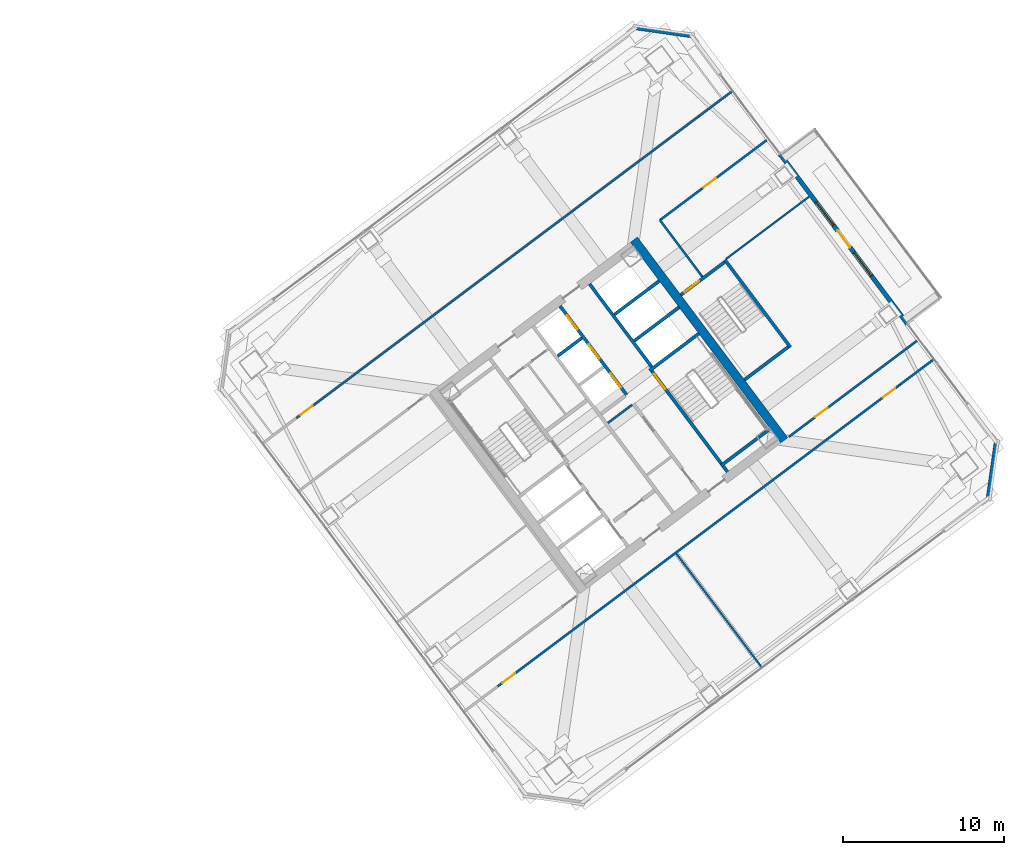
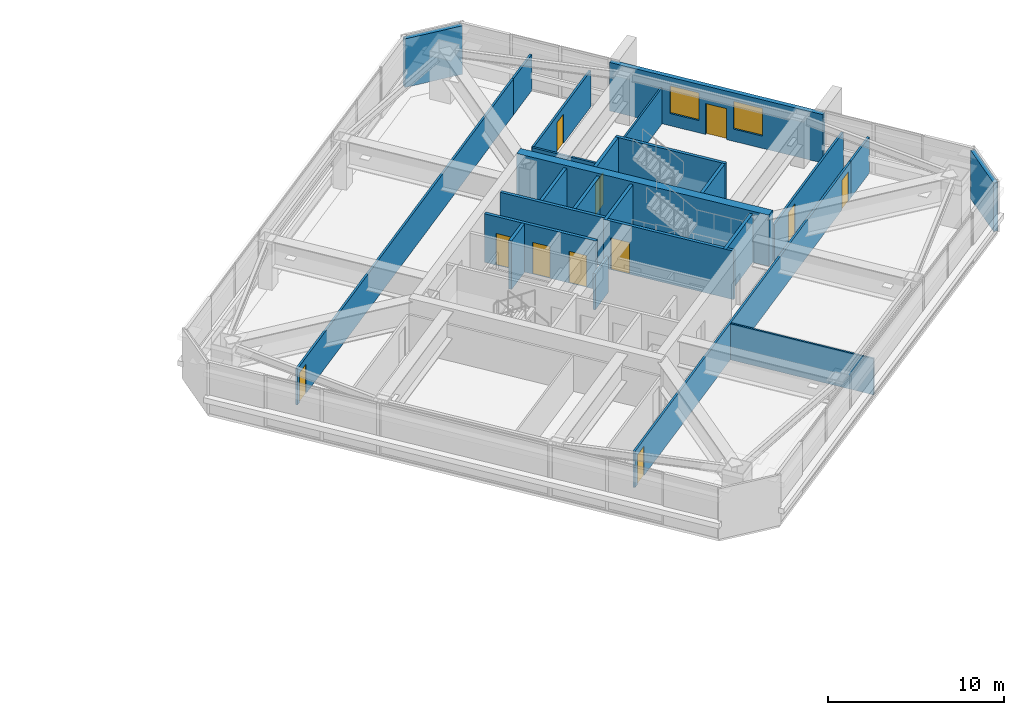
# One storey, part 35 of 42: 25 walls, 11 doors, 2 windows, 13 openings.
"""IFC4 building model written with IfcOpenShell, lengths in metres."""

from ifc_helpers import new_model, si_unit, direction, frame, frame_2d, origin, place, context, subcontext, project, spatial, rectangle, extrude, material, layer, layer_set, type_object, element, fill, save


model = new_model("IFC4")

# Units and contexts
model_context = context("Model", 3, precision=1e-05, world=origin(), true_north=direction((0.0, 1.0)))
body_context = subcontext(model_context, "Body", "Model", "MODEL_VIEW")
ifc_project = project(units=[si_unit("LENGTHUNIT", "METRE"), si_unit("AREAUNIT", "SQUARE_METRE"), si_unit("VOLUMEUNIT", "CUBIC_METRE"), si_unit("PLANEANGLEUNIT", "RADIAN"), si_unit("MASSUNIT", "GRAM", prefix="KILO")], contexts=[model_context])

# Site, building, storey
site_placement = place(None, origin())
site = spatial("IfcSite", under=ifc_project, at=site_placement, CompositionType="ELEMENT")
building_placement = place(site_placement, origin())
building = spatial("IfcBuilding", under=site, at=building_placement, Name="Tashvorn Skyway Center", CompositionType="ELEMENT")
storey_placement = place(building_placement, frame((0.0, 0.0, 153.449951171875)))
storey = spatial("IfcBuildingStorey", under=building, at=storey_placement, Name="L41", CompositionType="ELEMENT", Elevation=153.449951171875)

# Wall
ifc_material_1 = material(Name="Concrete C60/75", Category="concrete")
ifc_layer_1 = layer(ifc_material_1, 0.550048828125)
ifc_layer_set_1 = layer_set([ifc_layer_1], Name="Concrete C60/75")
wall_type_1 = type_object("IfcWallType", Name="WALL-CORE-550", PredefinedType="SHEAR", material=ifc_layer_set_1)
wall_1_placement = place(storey_placement, frame((115.56396484375, 42.923095703125, 0.0), z_axis=(0.0, 0.0, 1.0), x_axis=(0.600005007985, -0.799996243986, 0.0)))
element("IfcWall", 1, at=wall_1_placement, inside=storey, type_object=wall_type_1, Name="Tower 2 L41 East Core Shear Wall", PredefinedType="SHEAR", context=body_context, shape_type="SweptSolid", body=[
    extrude(rectangle(XDim=15.60009765625, YDim=0.550048828125, at=frame_2d((7.800048828125, 0.0))), origin(), (0.0, 0.0, 1.0), 3.550048828125),
])

# Wall, openings, door, windows
ifc_material_2 = material(Name="Precast concrete C40/50", Category="concrete")
ifc_layer_2 = layer(ifc_material_2, 0.280029296875)
ifc_layer_set_2 = layer_set([ifc_layer_2], Name="Precast concrete C40/50")
wall_type_2 = type_object("IfcWallType", Name="WALL-EXT-280", PredefinedType="SOLIDWALL", material=ifc_layer_set_2)
wall_2_placement = place(storey_placement, frame((124.6640625, 48.248046875, 0.0), z_axis=(0.0, 0.0, 1.0), x_axis=(0.599994081423, -0.800004438899, 0.0)))
wall_2 = element("IfcWall", 2, at=wall_2_placement, inside=storey, type_object=wall_type_2, Name="Tower 2 L41 East Sky Garden Loggia Wall", PredefinedType="SOLIDWALL", context=body_context, shape_type="SweptSolid", body=[
    extrude(rectangle(XDim=13.199951171875, YDim=0.280029296875, at=frame_2d((6.60009765625, 0.0))), origin(), (0.0, 0.0, 1.0), 3.3701171875),
])
opening_1_placement = place(wall_2_placement, frame((5.949951171875, 0.0, 0.0)))
opening_1 = element("IfcOpeningElement", 3, at=opening_1_placement, cuts=wall_2, Name="Opening D-TER-1300", PredefinedType="OPENING", context=body_context, shape_type="SweptSolid", body=[
    extrude(rectangle(XDim=1.300048828125, YDim=2.14990234375, at=frame_2d((0.64990234375, 1.074951171875))), frame((0.0, 0.14990234375, 0.0), z_axis=(0.0, -1.0, 0.0), x_axis=(1.0, 0.0, 0.0)), (0.0, 0.0, 1.0), 0.300048828125),
])
opening_2_placement = place(wall_2_placement, frame((3.73193359375, 0.0, 0.85009765625)))
opening_2 = element("IfcOpeningElement", 4, at=opening_2_placement, cuts=wall_2, Name="Opening WIN-1800", PredefinedType="OPENING", context=body_context, shape_type="SweptSolid", body=[
    extrude(rectangle(XDim=1.800048828125, YDim=1.919921875, at=frame_2d((0.89990234375, 0.9599609375))), frame((0.0, 0.14990234375, 0.0), z_axis=(0.0, -1.0, 0.0), x_axis=(1.0, 0.0, 0.0)), (0.0, 0.0, 1.0), 0.300048828125),
])
opening_3_placement = place(wall_2_placement, frame((7.66796875, 0.0, 0.85009765625)))
opening_3 = element("IfcOpeningElement", 5, at=opening_3_placement, cuts=wall_2, Name="Opening WIN-1800", PredefinedType="OPENING", context=body_context, shape_type="SweptSolid", body=[
    extrude(rectangle(XDim=1.800048828125, YDim=1.919921875, at=frame_2d((0.89990234375, 0.9599609375))), frame((0.0, 0.14990234375, 0.0), z_axis=(0.0, -1.0, 0.0), x_axis=(1.0, 0.0, 0.0)), (0.0, 0.0, 1.0), 0.300048828125),
])
ifc_material_3 = material(Name="Thermally broken bronze-anodized aluminium 6063-T6", Category="aluminium")
door_type_1 = type_object("IfcDoorType", Name="DOOR-TERR-1300", OperationType="NOTDEFINED", PredefinedType="DOOR", material=ifc_material_3)
door_1_placement = place(opening_1_placement, origin())
door_1 = element("IfcDoor", 6, at=door_1_placement, inside=storey, type_object=door_type_1, Name="Tower 2 L41 Sky Garden Access Door", OperationType="SINGLE_SWING_RIGHT", OverallHeight=2.14990234375, OverallWidth=1.300048828125, PredefinedType="DOOR", context=body_context, shape_type="SweptSolid", body=[
    extrude(rectangle(XDim=1.300048828125, YDim=2.14990234375, at=frame_2d((0.64990234375, 1.074951171875))), frame((0.0, 0.02490234375, 0.0), z_axis=(0.0, -1.0, 0.0), x_axis=(1.0, 0.0, 0.0)), (0.0, 0.0, 1.0), 0.050048828125),
])
fill(opening_1, door_1)
ifc_material_4 = material(Name="Low-E solar-control double insulating safety glass", Category="glass")
window_type = type_object("IfcWindowType", Name="WIN-TERR-1800", PartitioningType="SINGLE_PANEL", PredefinedType="WINDOW", material=ifc_material_4)
window_1_placement = place(opening_2_placement, origin())
window_1 = element("IfcWindow", 7, at=window_1_placement, inside=storey, type_object=window_type, Name="Tower 2 L41 Sky Garden Window", OverallHeight=1.919921875, OverallWidth=1.800048828125, PartitioningType="SINGLE_PANEL", PredefinedType="WINDOW", context=body_context, shape_type="SweptSolid", body=[
    extrude(rectangle(XDim=1.800048828125, YDim=1.919921875, at=frame_2d((0.89990234375, 0.9599609375))), frame((0.0, 0.030029296875, 0.0), z_axis=(0.0, -1.0, 0.0), x_axis=(1.0, 0.0, 0.0)), (0.0, 0.0, 1.0), 0.06005859375),
])
fill(opening_2, window_1)
window_2_placement = place(opening_3_placement, origin())
window_2 = element("IfcWindow", 8, at=window_2_placement, inside=storey, type_object=window_type, Name="Tower 2 L41 Sky Garden Second Window", OverallHeight=1.919921875, OverallWidth=1.800048828125, PartitioningType="SINGLE_PANEL", PredefinedType="WINDOW", context=body_context, shape_type="SweptSolid", body=[
    extrude(rectangle(XDim=1.800048828125, YDim=1.919921875, at=frame_2d((0.89990234375, 0.9599609375))), frame((0.0, 0.030029296875, 0.0), z_axis=(0.0, -1.0, 0.0), x_axis=(1.0, 0.0, 0.0)), (0.0, 0.0, 1.0), 0.06005859375),
])
fill(opening_3, window_2)

# Walls
for number, where, z_axis, x_axis, name in (
    (9, (115.659912109375, 56.1201171875, 0.0), (0.0, 0.0, 1.0), (0.989949493661, -0.141421356237, 0.0), "Tower 2 L41 NE Precast Chamfer Wall"),
    (10, (138.1201171875, 30.340087890625, 0.0), (0.0, 0.0, 1.0), (-0.141421356237, -0.989949493661, 0.0), "Tower 2 L41 SE Precast Chamfer Wall"),
):
    element("IfcWall", number, at=place(storey_placement, frame(where, z_axis=z_axis, x_axis=x_axis)), inside=storey, type_object=wall_type_2, Name=name, PredefinedType="SOLIDWALL", context=body_context, shape_type="SweptSolid", body=[
        extrude(rectangle(XDim=3.53564453125, YDim=0.280029296875, at=frame_2d((1.767822265625, 0.0))), origin(), (0.0, 0.0, 1.0), 3.3701171875),
    ])
ifc_material_5 = material(Name="Gypsum board on cold-formed steel stud framing", Category="steel")
ifc_layer_3 = layer(ifc_material_5, 0.110107421875)
ifc_layer_set_3 = layer_set([ifc_layer_3], Name="Gypsum board on cold-formed steel stud framing")
wall_type_3 = type_object("IfcWallType", Name="WALL-PART-110", PredefinedType="PARTITIONING", material=ifc_layer_set_3)
wall_3_placement = place(storey_placement, frame((123.528076171875, 16.2958984375, 0.0), z_axis=(0.0, 0.0, 1.0), x_axis=(-0.6, 0.8, 0.0)))
element("IfcWall", 11, at=wall_3_placement, inside=storey, type_object=wall_type_3, Name="Tower 2 L41 South Suite Partition 1", PredefinedType="PARTITIONING", context=body_context, shape_type="SweptSolid", body=[
    extrude(rectangle(XDim=8.85009765625, YDim=0.110107421875, at=frame_2d((4.425048828125, 0.0))), origin(), (0.0, 0.0, 1.0), 2.512939453125),
])
wall_4_placement = place(storey_placement, frame((126.464111328125, 45.597900390625, 0.0), z_axis=(0.0, 0.0, 1.0), x_axis=(-0.8000181681, -0.599975775102, 0.0)))
element("IfcWall", 12, at=wall_4_placement, inside=storey, type_object=wall_type_3, Name="Tower 2 L41 East Suite Partition 1", PredefinedType="PARTITIONING", context=body_context, shape_type="SweptSolid", body=[
    extrude(rectangle(XDim=6.449951171875, YDim=0.110107421875, at=frame_2d((3.22509765625, 0.0))), origin(), (0.0, 0.0, 1.0), 2.512939453125),
])
ifc_layer_4 = layer(ifc_material_5, 0.135009765625)
ifc_layer_set_4 = layer_set([ifc_layer_4], Name="Gypsum board on cold-formed steel stud framing")
wall_type_4 = type_object("IfcWallType", Name="WALL-PART-135", PredefinedType="PARTITIONING", material=ifc_layer_set_4)
wall_5_placement = place(storey_placement, frame((119.823974609375, 40.617919921875, 0.0), z_axis=(0.0, 0.0, 1.0), x_axis=(-0.599982243973, 0.800013316712, 0.0)))
element("IfcWall", 13, at=wall_5_placement, inside=storey, type_object=wall_type_4, Name="Tower 2 L41 Stair 3 Access Corridor Wall", PredefinedType="PARTITIONING", context=body_context, shape_type="SweptSolid", body=[
    extrude(rectangle(XDim=4.39990234375, YDim=0.135009765625, at=frame_2d((2.199951171875, 0.0))), origin(), (0.0, 0.0, 1.0), 2.512939453125),
])

# Wall, opening, door
wall_6_placement = place(storey_placement, frame((94.568115234375, 31.825927734375, 0.0), z_axis=(0.0, 0.0, 1.0), x_axis=(0.799997191971, 0.600003744021, 0.0)))
wall_6 = element("IfcWall", 14, at=wall_6_placement, inside=storey, type_object=wall_type_4, Name="Tower 2 L41 North Suite Wall", PredefinedType="PARTITIONING", context=body_context, shape_type="SweptSolid", body=[
    extrude(rectangle(XDim=31.2998046875, YDim=0.135009765625, at=frame_2d((15.64990234375, 0.0))), origin(), (0.0, 0.0, 1.0), 2.512939453125),
])
opening_4_placement = place(wall_6_placement, frame((0.300048828125, 0.0, 0.0)))
opening_4 = element("IfcOpeningElement", 15, at=opening_4_placement, cuts=wall_6, Name="Opening D-INT-950", PredefinedType="OPENING", context=body_context, shape_type="SweptSolid", body=[
    extrude(rectangle(XDim=0.949951171875, YDim=2.050048828125, at=frame_2d((0.47509765625, 1.02490234375))), frame((0.0, 0.077392578125, 0.0), z_axis=(0.0, -1.0, 0.0), x_axis=(1.0, 0.0, 0.0)), (0.0, 0.0, 1.0), 0.155029296875),
])
ifc_material_6 = material(Name="Solid-core architectural oak veneer door")
door_type_2 = type_object("IfcDoorType", Name="DOOR-INT-950", OperationType="NOTDEFINED", PredefinedType="DOOR", material=ifc_material_6)
door_2_placement = place(opening_4_placement, origin())
door_2 = element("IfcDoor", 16, at=door_2_placement, inside=storey, type_object=door_type_2, Name="Tower 2 L41 Executive Suite Door", OperationType="SINGLE_SWING_LEFT", OverallHeight=2.050048828125, OverallWidth=0.949951171875, PredefinedType="DOOR", context=body_context, shape_type="SweptSolid", body=[
    extrude(rectangle(XDim=0.949951171875, YDim=2.050048828125, at=frame_2d((0.47509765625, 1.02490234375))), frame((0.0, 0.02490234375, 0.0), z_axis=(0.0, -1.0, 0.0), x_axis=(1.0, 0.0, 0.0)), (0.0, 0.0, 1.0), 0.050048828125),
])
fill(opening_4, door_2)

# Wall
wall_7_placement = place(storey_placement, frame((119.60791015625, 50.60595703125, 0.0), z_axis=(0.0, 0.0, 1.0), x_axis=(0.799977721118, 0.600029704027, 0.0)))
element("IfcWall", 17, at=wall_7_placement, inside=storey, type_object=wall_type_4, Name="Tower 2 L41 North-East Suite South Wall", PredefinedType="PARTITIONING", context=body_context, shape_type="SweptSolid", body=[
    extrude(rectangle(XDim=2.630126953125, YDim=0.135009765625, at=frame_2d((1.31494140625, 0.0))), origin(), (0.0, 0.0, 1.0), 2.512939453125),
])

# Wall, openings, doors
wall_8_placement = place(storey_placement, frame((132.1298828125, 33.909912109375, 0.0), z_axis=(0.0, 0.0, 1.0), x_axis=(-0.799997191971, -0.600003744021, 0.0)))
wall_8 = element("IfcWall", 18, at=wall_8_placement, inside=storey, type_object=wall_type_4, Name="Tower 2 L41 South Suite Wall", PredefinedType="PARTITIONING", context=body_context, shape_type="SweptSolid", body=[
    extrude(rectangle(XDim=31.2998046875, YDim=0.135009765625, at=frame_2d((15.64990234375, 0.0))), origin(), (0.0, 0.0, 1.0), 2.512939453125),
])
opening_5_placement = place(wall_8_placement, frame((29.969970703125, 0.0, 0.0)))
opening_5 = element("IfcOpeningElement", 19, at=opening_5_placement, cuts=wall_8, Name="Opening D-INT-950", PredefinedType="OPENING", context=body_context, shape_type="SweptSolid", body=[
    extrude(rectangle(XDim=0.949951171875, YDim=2.050048828125, at=frame_2d((0.47509765625, 1.02490234375))), frame((0.0, 0.077392578125, 0.0), z_axis=(0.0, -1.0, 0.0), x_axis=(1.0, 0.0, 0.0)), (0.0, 0.0, 1.0), 0.155029296875),
])
opening_6_placement = place(wall_8_placement, frame((0.3798828125, 0.0, 0.0)))
opening_6 = element("IfcOpeningElement", 20, at=opening_6_placement, cuts=wall_8, Name="Opening D-INT-950", PredefinedType="OPENING", context=body_context, shape_type="SweptSolid", body=[
    extrude(rectangle(XDim=0.949951171875, YDim=2.050048828125, at=frame_2d((0.47509765625, 1.02490234375))), frame((0.0, 0.077392578125, 0.0), z_axis=(0.0, -1.0, 0.0), x_axis=(1.0, 0.0, 0.0)), (0.0, 0.0, 1.0), 0.155029296875),
])
door_3_placement = place(opening_5_placement, origin())
door_3 = element("IfcDoor", 21, at=door_3_placement, inside=storey, type_object=door_type_2, Name="Tower 2 L41 Executive Suite Door", OperationType="SINGLE_SWING_RIGHT", OverallHeight=2.050048828125, OverallWidth=0.949951171875, PredefinedType="DOOR", context=body_context, shape_type="SweptSolid", body=[
    extrude(rectangle(XDim=0.949951171875, YDim=2.050048828125, at=frame_2d((0.47509765625, 1.02490234375))), frame((0.0, 0.02490234375, 0.0), z_axis=(0.0, -1.0, 0.0), x_axis=(1.0, 0.0, 0.0)), (0.0, 0.0, 1.0), 0.050048828125),
])
fill(opening_5, door_3)
door_4_placement = place(opening_6_placement, origin())
door_4 = element("IfcDoor", 22, at=door_4_placement, inside=storey, type_object=door_type_2, Name="Tower 2 L41 Catering Pantry Door", OperationType="SINGLE_SWING_LEFT", OverallHeight=2.050048828125, OverallWidth=0.949951171875, PredefinedType="DOOR", context=body_context, shape_type="SweptSolid", body=[
    extrude(rectangle(XDim=0.949951171875, YDim=2.050048828125, at=frame_2d((0.47509765625, 1.02490234375))), frame((0.0, 0.02490234375, 0.0), z_axis=(0.0, -1.0, 0.0), x_axis=(1.0, 0.0, 0.0)), (0.0, 0.0, 1.0), 0.050048828125),
])
fill(opening_6, door_4)

# Wall
wall_9_placement = place(storey_placement, frame((132.1298828125, 33.909912109375, 0.0), z_axis=(0.0, 0.0, 1.0), x_axis=(0.799977721118, 0.600029704027, 0.0)))
element("IfcWall", 23, at=wall_9_placement, inside=storey, type_object=wall_type_4, Name="Tower 2 L41 South-East Suite North Wall", PredefinedType="PARTITIONING", context=body_context, shape_type="SweptSolid", body=[
    extrude(rectangle(XDim=2.630126953125, YDim=0.135009765625, at=frame_2d((1.31494140625, 0.0))), origin(), (0.0, 0.0, 1.0), 2.512939453125),
])

# Wall, opening, door
wall_10_placement = place(storey_placement, frame((123.823974609375, 49.117919921875, 0.0), z_axis=(0.0, 0.0, 1.0), x_axis=(-0.799996470201, -0.60000470637, 0.0)))
wall_10 = element("IfcWall", 24, at=wall_10_placement, inside=storey, type_object=wall_type_4, Name="Tower 2 L41 East Suite North Wall", PredefinedType="PARTITIONING", context=body_context, shape_type="SweptSolid", body=[
    extrude(rectangle(XDim=8.2998046875, YDim=0.135009765625, at=frame_2d((4.14990234375, 0.0))), origin(), (0.0, 0.0, 1.0), 2.512939453125),
])
opening_7_placement = place(wall_10_placement, frame((3.949951171875, 0.0, 0.0)))
opening_7 = element("IfcOpeningElement", 25, at=opening_7_placement, cuts=wall_10, Name="Opening D-INT-950", PredefinedType="OPENING", context=body_context, shape_type="SweptSolid", body=[
    extrude(rectangle(XDim=0.949951171875, YDim=2.050048828125, at=frame_2d((0.47509765625, 1.02490234375))), frame((0.0, 0.077392578125, 0.0), z_axis=(0.0, -1.0, 0.0), x_axis=(1.0, 0.0, 0.0)), (0.0, 0.0, 1.0), 0.155029296875),
])
door_5_placement = place(opening_7_placement, origin())
door_5 = element("IfcDoor", 26, at=door_5_placement, inside=storey, type_object=door_type_2, Name="Tower 2 L41 Executive Suite Door", OperationType="SINGLE_SWING_RIGHT", OverallHeight=2.050048828125, OverallWidth=0.949951171875, PredefinedType="DOOR", context=body_context, shape_type="SweptSolid", body=[
    extrude(rectangle(XDim=0.949951171875, YDim=2.050048828125, at=frame_2d((0.47509765625, 1.02490234375))), frame((0.0, 0.02490234375, 0.0), z_axis=(0.0, -1.0, 0.0), x_axis=(1.0, 0.0, 0.0)), (0.0, 0.0, 1.0), 0.050048828125),
])
fill(opening_7, door_5)

wall_11_placement = place(storey_placement, frame((125.2080078125, 30.656005859375, 0.0), z_axis=(0.0, 0.0, 1.0), x_axis=(0.800005876956, 0.599992163979, 0.0)))
wall_11 = element("IfcWall", 27, at=wall_11_placement, inside=storey, type_object=wall_type_4, Name="Tower 2 L41 East Suite South Wall", PredefinedType="PARTITIONING", context=body_context, shape_type="SweptSolid", body=[
    extrude(rectangle(XDim=9.969970703125, YDim=0.135009765625, at=frame_2d((4.98486328125, 0.0))), origin(), (0.0, 0.0, 1.0), 2.512939453125),
])
opening_8_placement = place(wall_11_placement, frame((2.044921875, 0.0, 0.0)))
opening_8 = element("IfcOpeningElement", 28, at=opening_8_placement, cuts=wall_11, Name="Opening D-INT-950", PredefinedType="OPENING", context=body_context, shape_type="SweptSolid", body=[
    extrude(rectangle(XDim=0.949951171875, YDim=2.050048828125, at=frame_2d((0.47509765625, 1.02490234375))), frame((0.0, 0.077392578125, 0.0), z_axis=(0.0, -1.0, 0.0), x_axis=(1.0, 0.0, 0.0)), (0.0, 0.0, 1.0), 0.155029296875),
])
door_6_placement = place(opening_8_placement, origin())
door_6 = element("IfcDoor", 29, at=door_6_placement, inside=storey, type_object=door_type_2, Name="Tower 2 L41 Public Restroom Door", OperationType="SINGLE_SWING_LEFT", OverallHeight=2.050048828125, OverallWidth=0.949951171875, PredefinedType="DOOR", context=body_context, shape_type="SweptSolid", body=[
    extrude(rectangle(XDim=0.949951171875, YDim=2.050048828125, at=frame_2d((0.47509765625, 1.02490234375))), frame((0.0, 0.02490234375, 0.0), z_axis=(0.0, -1.0, 0.0), x_axis=(1.0, 0.0, 0.0)), (0.0, 0.0, 1.0), 0.050048828125),
])
fill(opening_8, door_6)

# Walls
ifc_layer_5 = layer(ifc_material_5, 0.135009765625)
ifc_layer_set_5 = layer_set([ifc_layer_5], Name="Gypsum board on cold-formed steel stud framing")
wall_type_5 = type_object("IfcWallType", Name="WALL-RATED-135", PredefinedType="PARTITIONING", material=ifc_layer_set_5)
wall_12_placement = place(storey_placement, frame((113.946044921875, 31.52197265625, 0.0), z_axis=(0.0, 0.0, 1.0), x_axis=(0.8, 0.6, 0.0)))
element("IfcWall", 30, at=wall_12_placement, inside=storey, type_object=wall_type_5, Name="Tower 2 L41 Core Room Partition", PredefinedType="PARTITIONING", context=body_context, shape_type="SweptSolid", body=[
    extrude(rectangle(XDim=1.8798828125, YDim=0.135009765625, at=frame_2d((0.93994140625, 0.0))), origin(), (0.0, 0.0, 1.0), 2.512939453125),
])
ifc_material_7 = material(Name="Concrete C40/50", Category="concrete")
ifc_layer_6 = layer(ifc_material_7, 0.199951171875)
ifc_layer_set_6 = layer_set([ifc_layer_6], Name="Concrete C40/50")
wall_type_6 = type_object("IfcWallType", Name="WALL-SHAFT-200", PredefinedType="SOLIDWALL", material=ifc_layer_set_6)
for number, where, z_axis, x_axis, name in (
    (31, (115.590087890625, 36.6298828125, 0.0), (0.0, 0.0, 1.0), (0.799974743577, 0.600033673754, 0.0), "Tower 2 L41 High-Rise Shaft Divider"),
    (32, (114.360107421875, 38.27001953125, 0.0), (0.0, 0.0, 1.0), (0.800008418847, 0.599988774707, 0.0), "Tower 2 L41 High-Rise Shaft Divider"),
):
    element("IfcWall", number, at=place(storey_placement, frame(where, z_axis=z_axis, x_axis=x_axis)), inside=storey, type_object=wall_type_6, Name=name, PredefinedType="SOLIDWALL", context=body_context, shape_type="SweptSolid", body=[
        extrude(rectangle(XDim=3.47998046875, YDim=0.199951171875, at=frame_2d((1.739990234375, 0.0))), origin(), (0.0, 0.0, 1.0), 3.3701171875),
    ])

# Wall, openings, doors
wall_13_placement = place(storey_placement, frame((115.110107421875, 33.27001953125, 0.0), z_axis=(0.0, 0.0, 1.0), x_axis=(-0.600011322243, 0.799991508192, 0.0)))
wall_13 = element("IfcWall", 33, at=wall_13_placement, inside=storey, type_object=wall_type_6, Name="Tower 2 L41 Mid-Rise Core Wall", PredefinedType="SOLIDWALL", context=body_context, shape_type="SweptSolid", body=[
    extrude(rectangle(XDim=6.900146484375, YDim=0.199951171875, at=frame_2d((3.4501953125, 0.0))), origin(), (0.0, 0.0, 1.0), 3.3701171875),
])
opening_9_placement = place(wall_13_placement, frame((0.574951171875, 0.0, 0.0)))
opening_9 = element("IfcOpeningElement", 34, at=opening_9_placement, cuts=wall_13, Name="Opening LD-MR-T2-1-L41", PredefinedType="OPENING", context=body_context, shape_type="SweptSolid", body=[
    extrude(rectangle(XDim=1.10009765625, YDim=2.199951171875, at=frame_2d((0.550048828125, 1.10009765625))), frame((0.0, 0.10986328125, 0.0), z_axis=(0.0, -1.0, 0.0), x_axis=(1.0, 0.0, 0.0)), (0.0, 0.0, 1.0), 0.219970703125),
])
opening_10_placement = place(wall_13_placement, frame((2.824951171875, 0.0, 0.0)))
opening_10 = element("IfcOpeningElement", 35, at=opening_10_placement, cuts=wall_13, Name="Opening LD-MR-T2-2-L41", PredefinedType="OPENING", context=body_context, shape_type="SweptSolid", body=[
    extrude(rectangle(XDim=1.10009765625, YDim=2.199951171875, at=frame_2d((0.550048828125, 1.10009765625))), frame((0.0, 0.10986328125, 0.0), z_axis=(0.0, -1.0, 0.0), x_axis=(1.0, 0.0, 0.0)), (0.0, 0.0, 1.0), 0.219970703125),
])
opening_11_placement = place(wall_13_placement, frame((5.074951171875, 0.0, 0.0)))
opening_11 = element("IfcOpeningElement", 36, at=opening_11_placement, cuts=wall_13, Name="Opening LD-MR-T2-3-L41", PredefinedType="OPENING", context=body_context, shape_type="SweptSolid", body=[
    extrude(rectangle(XDim=1.10009765625, YDim=2.199951171875, at=frame_2d((0.550048828125, 1.10009765625))), frame((0.0, 0.10986328125, 0.0), z_axis=(0.0, -1.0, 0.0), x_axis=(1.0, 0.0, 0.0)), (0.0, 0.0, 1.0), 0.219970703125),
])
ifc_material_8 = material(Name="Stainless steel landing door", Category="steel")
door_type_3 = type_object("IfcDoorType", Name="DOOR-LIFT-1100", OperationType="SLIDING_TO_LEFT", PredefinedType="DOOR", material=ifc_material_8)
door_7_placement = place(opening_9_placement, origin())
door_7 = element("IfcDoor", 37, at=door_7_placement, inside=storey, type_object=door_type_3, Name="Lift MR-T2-1 L41 Landing Door", OperationType="SLIDING_TO_LEFT", OverallHeight=2.199951171875, OverallWidth=1.10009765625, PredefinedType="DOOR", context=body_context, shape_type="SweptSolid", body=[
    extrude(rectangle(XDim=1.10009765625, YDim=2.199951171875, at=frame_2d((0.550048828125, 1.10009765625))), frame((0.0, 0.02490234375, 0.0), z_axis=(0.0, -1.0, 0.0), x_axis=(1.0, 0.0, 0.0)), (0.0, 0.0, 1.0), 0.050048828125),
])
fill(opening_9, door_7)
door_8_placement = place(opening_10_placement, origin())
door_8 = element("IfcDoor", 38, at=door_8_placement, inside=storey, type_object=door_type_3, Name="Lift MR-T2-2 L41 Landing Door", OperationType="SLIDING_TO_LEFT", OverallHeight=2.199951171875, OverallWidth=1.10009765625, PredefinedType="DOOR", context=body_context, shape_type="SweptSolid", body=[
    extrude(rectangle(XDim=1.10009765625, YDim=2.199951171875, at=frame_2d((0.550048828125, 1.10009765625))), frame((0.0, 0.02490234375, 0.0), z_axis=(0.0, -1.0, 0.0), x_axis=(1.0, 0.0, 0.0)), (0.0, 0.0, 1.0), 0.050048828125),
])
fill(opening_10, door_8)
door_9_placement = place(opening_11_placement, origin())
door_9 = element("IfcDoor", 39, at=door_9_placement, inside=storey, type_object=door_type_3, Name="Lift MR-T2-3 L41 Landing Door", OperationType="SLIDING_TO_LEFT", OverallHeight=2.199951171875, OverallWidth=1.10009765625, PredefinedType="DOOR", context=body_context, shape_type="SweptSolid", body=[
    extrude(rectangle(XDim=1.10009765625, YDim=2.199951171875, at=frame_2d((0.550048828125, 1.10009765625))), frame((0.0, 0.02490234375, 0.0), z_axis=(0.0, -1.0, 0.0), x_axis=(1.0, 0.0, 0.0)), (0.0, 0.0, 1.0), 0.050048828125),
])
fill(opening_11, door_9)

# Wall
wall_14_placement = place(storey_placement, frame((110.825927734375, 35.681884765625, 0.0), z_axis=(0.0, 0.0, 1.0), x_axis=(0.799984418148, 0.600020775241, 0.0)))
element("IfcWall", 40, at=wall_14_placement, inside=storey, type_object=wall_type_6, Name="Tower 2 L41 Mid-Rise Shaft Divider", PredefinedType="SOLIDWALL", context=body_context, shape_type="SweptSolid", body=[
    extrude(rectangle(XDim=1.880126953125, YDim=0.199951171875, at=frame_2d((0.93994140625, 0.0))), origin(), (0.0, 0.0, 1.0), 3.3701171875),
])

# Wall, opening, door
ifc_layer_7 = layer(ifc_material_7, 0.199951171875)
ifc_layer_set_7 = layer_set([ifc_layer_7], Name="Concrete C40/50")
wall_type_7 = type_object("IfcWallType", Name="WALL-STSHF-200", PredefinedType="SHEAR", material=ifc_layer_set_7)
wall_15_placement = place(storey_placement, frame((116.56005859375, 34.919921875, 0.0), z_axis=(0.0, 0.0, 1.0), x_axis=(0.59999029481, -0.8000072788, 0.0)))
wall_15 = element("IfcWall", 41, at=wall_15_placement, inside=storey, type_object=wall_type_7, Name="Tower 2 L41 Stair 2 Enclosure Wall", PredefinedType="SHEAR", context=body_context, shape_type="SweptSolid", body=[
    extrude(rectangle(XDim=8.0498046875, YDim=0.199951171875, at=frame_2d((4.02490234375, 0.0))), origin(), (0.0, 0.0, 1.0), 3.3701171875),
])
opening_12_placement = place(wall_15_placement, frame((0.449951171875, 0.0, 0.0)))
opening_12 = element("IfcOpeningElement", 42, at=opening_12_placement, cuts=wall_15, Name="Opening D-ST-1150", PredefinedType="OPENING", context=body_context, shape_type="SweptSolid", body=[
    extrude(rectangle(XDim=1.14990234375, YDim=2.199951171875, at=frame_2d((0.574951171875, 1.10009765625))), frame((0.0, 0.10986328125, 0.0), z_axis=(0.0, -1.0, 0.0), x_axis=(1.0, 0.0, 0.0)), (0.0, 0.0, 1.0), 0.219970703125),
])
ifc_material_9 = material(Name="Hollow galvanized steel fire door assembly", Category="steel")
door_type_4 = type_object("IfcDoorType", Name="DOOR-STAIR-1150", OperationType="NOTDEFINED", PredefinedType="DOOR", material=ifc_material_9)
door_10_placement = place(opening_12_placement, origin())
door_10 = element("IfcDoor", 43, at=door_10_placement, inside=storey, type_object=door_type_4, Name="Tower 2 L41 Exit Stair 2 Door", OperationType="SINGLE_SWING_RIGHT", OverallHeight=2.199951171875, OverallWidth=1.14990234375, PredefinedType="DOOR", context=body_context, shape_type="SweptSolid", body=[
    extrude(rectangle(XDim=1.14990234375, YDim=2.199951171875, at=frame_2d((0.574951171875, 1.10009765625))), frame((0.0, 0.02490234375, 0.0), z_axis=(0.0, -1.0, 0.0), x_axis=(1.0, 0.0, 0.0)), (0.0, 0.0, 1.0), 0.050048828125),
])
fill(opening_12, door_10)

# Walls
for number, where, z_axis, x_axis, name in (
    (44, (116.5400390625, 34.780029296875, 0.0), (0.0, 0.0, 1.0), (0.800015298837, 0.599979601008, 0.0), "Tower 2 L41 Stair 2 North Wall"),
    (45, (120.97998046875, 28.860107421875, 0.0), (0.0, 0.0, 1.0), (0.800015298837, 0.599979601008, 0.0), "Tower 2 L41 Stair 2 South Wall"),
):
    element("IfcWall", number, at=place(storey_placement, frame(where, z_axis=z_axis, x_axis=x_axis)), inside=storey, type_object=wall_type_7, Name=name, PredefinedType="SHEAR", context=body_context, shape_type="SweptSolid", body=[
        extrude(rectangle(XDim=3.829833984375, YDim=0.199951171875, at=frame_2d((1.9150390625, 0.0))), origin(), (0.0, 0.0, 1.0), 3.3701171875),
    ])
wall_16_placement = place(storey_placement, frame((112.81005859375, 40.169921875, 0.0), z_axis=(0.0, 0.0, 1.0), x_axis=(0.599993943644, -0.800004542231, 0.0)))
element("IfcWall", 46, at=wall_16_placement, inside=storey, type_object=wall_type_7, Name="Tower 2 L41 High-Rise Lift Shaft Front Wall", PredefinedType="SHEAR", context=body_context, shape_type="SweptSolid", body=[
    extrude(rectangle(XDim=6.449951171875, YDim=0.199951171875, at=frame_2d((3.22509765625, 0.0))), origin(), (0.0, 0.0, 1.0), 3.3701171875),
])
wall_17_placement = place(storey_placement, frame((125.303955078125, 36.22802734375, 0.0), z_axis=(0.0, 0.0, 1.0), x_axis=(-0.59998851072, 0.800008616831, 0.0)))
element("IfcWall", 47, at=wall_17_placement, inside=storey, type_object=wall_type_7, Name="Tower 2 L41 Stair 3 Outer Wall", PredefinedType="SHEAR", context=body_context, shape_type="SweptSolid", body=[
    extrude(rectangle(XDim=6.7998046875, YDim=0.199951171875, at=frame_2d((3.39990234375, 0.0))), origin(), (0.0, 0.0, 1.0), 3.3701171875),
])

# Wall, opening, door
wall_18_placement = place(storey_placement, frame((121.2041015625, 41.528076171875, 0.0), z_axis=(0.0, 0.0, 1.0), x_axis=(-0.800017232136, -0.599977023131, 0.0)))
wall_18 = element("IfcWall", 48, at=wall_18_placement, inside=storey, type_object=wall_type_7, Name="Tower 2 L41 Stair 3 Enclosure Wall", PredefinedType="SHEAR", context=body_context, shape_type="SweptSolid", body=[
    extrude(rectangle(XDim=3.400146484375, YDim=0.199951171875, at=frame_2d((1.7001953125, 0.0))), origin(), (0.0, 0.0, 1.0), 3.3701171875),
])
opening_13_placement = place(wall_18_placement, frame((1.97509765625, 0.0, 0.0)))
opening_13 = element("IfcOpeningElement", 49, at=opening_13_placement, cuts=wall_18, Name="Opening D-ST-1150", PredefinedType="OPENING", context=body_context, shape_type="SweptSolid", body=[
    extrude(rectangle(XDim=1.14990234375, YDim=2.199951171875, at=frame_2d((0.574951171875, 1.10009765625))), frame((0.0, 0.10986328125, 0.0), z_axis=(0.0, -1.0, 0.0), x_axis=(1.0, 0.0, 0.0)), (0.0, 0.0, 1.0), 0.219970703125),
])
door_11_placement = place(opening_13_placement, origin())
door_11 = element("IfcDoor", 50, at=door_11_placement, inside=storey, type_object=door_type_4, Name="Tower 2 L41 Exit Stair 3 Door", OperationType="SINGLE_SWING_RIGHT", OverallHeight=2.199951171875, OverallWidth=1.14990234375, PredefinedType="DOOR", context=body_context, shape_type="SweptSolid", body=[
    extrude(rectangle(XDim=1.14990234375, YDim=2.199951171875, at=frame_2d((0.574951171875, 1.10009765625))), frame((0.0, 0.02490234375, 0.0), z_axis=(0.0, -1.0, 0.0), x_axis=(1.0, 0.0, 0.0)), (0.0, 0.0, 1.0), 0.050048828125),
])
fill(opening_13, door_11)

# Wall
wall_19_placement = place(storey_placement, frame((122.444091796875, 34.2080078125, 0.0), z_axis=(0.0, 0.0, 1.0), x_axis=(0.79999138319, 0.600011488909, 0.0)))
element("IfcWall", 51, at=wall_19_placement, inside=storey, type_object=wall_type_7, Name="Tower 2 L41 Stair 3 South Wall", PredefinedType="SHEAR", context=body_context, shape_type="SweptSolid", body=[
    extrude(rectangle(XDim=3.39990234375, YDim=0.199951171875, at=frame_2d((1.699951171875, 0.0))), origin(), (0.0, 0.0, 1.0), 3.3701171875),
])

save(model, "model.ifc")
